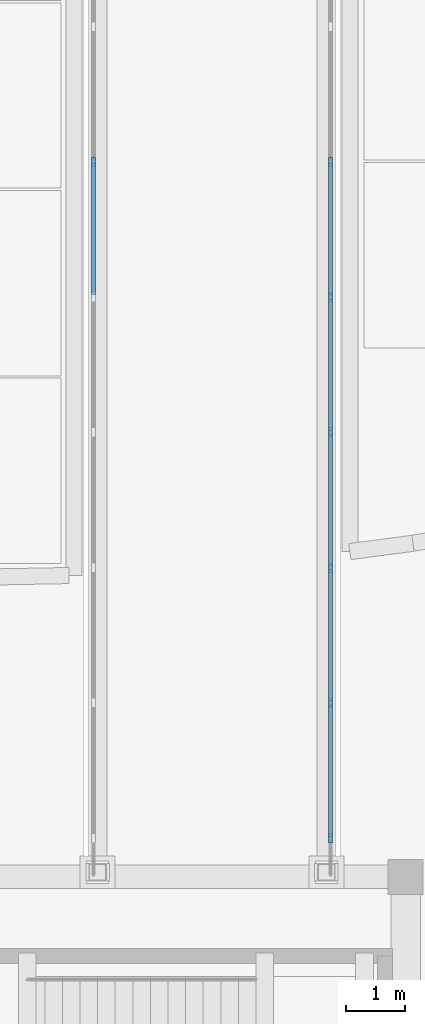
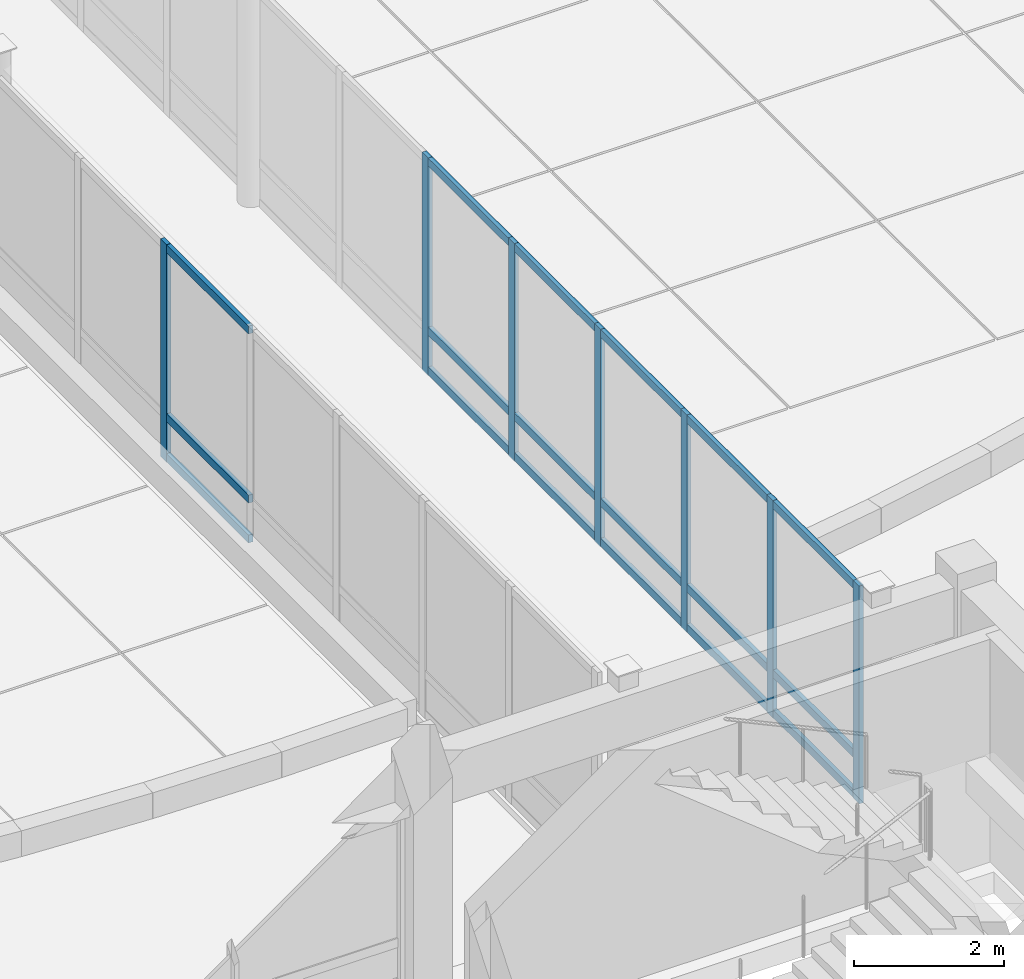
# One storey, part 35 of 135: 25 members, 2 elements without a shape of their own.
"""IFC4 building model written with IfcOpenShell, lengths in metres."""

from ifc_helpers import new_model, si_unit, direction, frame, origin, origin_2d, place, context, subcontext, project, spatial, rectangle, extrude, material, material_profile, profile_set, type_object, element, aggregate, save


model = new_model("IFC4")

# Units and contexts
model_context = context("Model", 3, precision=1e-05, world=origin(), true_north=direction((0.0, 1.0)))
body_context = subcontext(model_context, "Body", "Model", "MODEL_VIEW")
ifc_project = project(units=[si_unit("LENGTHUNIT", "METRE"), si_unit("AREAUNIT", "SQUARE_METRE"), si_unit("VOLUMEUNIT", "CUBIC_METRE"), si_unit("PLANEANGLEUNIT", "RADIAN"), si_unit("MASSUNIT", "GRAM", prefix="KILO")], contexts=[model_context])

# Site, building, storey
site_placement = place(None, origin())
site = spatial("IfcSite", under=ifc_project, at=site_placement, CompositionType="ELEMENT")
building_placement = place(site_placement, origin())
building = spatial("IfcBuilding", under=site, at=building_placement, Name="Cumbredor Promenade Congress Hotel", CompositionType="ELEMENT")
storey_placement = place(building_placement, origin())
storey = spatial("IfcBuildingStorey", under=building, at=storey_placement, Name="L00", CompositionType="ELEMENT", Elevation=0.0)

# Curtain wall, member
ifc_material_1 = material(Name="Thermally broken anodized aluminium and low-E glass", Category="aluminium")
curtain_wall_type = type_object("IfcCurtainWallType", Name="Unitised Bridge Glazing Screen CW-05", PredefinedType="NOTDEFINED", material=ifc_material_1)
curtain_wall_1_placement = place(storey_placement, origin())
curtain_wall_1 = element("IfcCurtainWall", 1, at=curtain_wall_1_placement, inside=storey, type_object=curtain_wall_type, Name="L00 Central Reflecting-Pool Promenade Bridge West Glazing Screen", PredefinedType="NOTDEFINED")
ifc_material_2 = material(Name="Thermally broken anodized aluminium", Category="aluminium")
ifc_material_profile_1 = material_profile(ifc_material_2, rectangle(XDim=0.06494140625, YDim=0.159912109375, at=origin_2d()), Name="ALU MULLION 65x160")
ifc_profile_set_1 = profile_set([ifc_material_profile_1], Name="Thermally broken anodized aluminium")
member_type_1 = type_object("IfcMemberType", Name="Curtain Wall Mullion ML-01", PredefinedType="MULLION", material=ifc_profile_set_1)
member_1_placement = place(storey_placement, frame((103.8798828125, 62.588623046875, -0.008056640625), z_axis=(0.0, 0.0, 1.0), x_axis=(1.0, 0.0, 0.0)))
member_1 = element("IfcMember", 2, at=member_1_placement, type_object=member_type_1, Name="L00 Central Reflecting-Pool Promenade Bridge West Glazing Screen Mullion 6", PredefinedType="MULLION", context=body_context, shape_type="SweptSolid", body=[
    extrude(rectangle(XDim=0.06494140625, YDim=0.159912109375, at=origin_2d()), origin(), (0.0, 0.0, 1.0), 3.55615234375),
])

# Curtain wall, members
curtain_wall_2_placement = place(storey_placement, origin())
curtain_wall_2 = element("IfcCurtainWall", 3, at=curtain_wall_2_placement, inside=storey, type_object=curtain_wall_type, Name="L00 Central Reflecting-Pool Promenade Bridge East Glazing Screen", PredefinedType="NOTDEFINED")
member_2_placement = place(storey_placement, frame((107.919921875, 51.06005859375, -0.008056640625), z_axis=(0.0, 0.0, 1.0), x_axis=(1.0, 0.0, 0.0)))
member_2 = element("IfcMember", 4, at=member_2_placement, type_object=member_type_1, Name="L00 Central Reflecting-Pool Promenade Bridge East Glazing Screen Mullion 1", PredefinedType="MULLION", context=body_context, shape_type="SweptSolid", body=[
    extrude(rectangle(XDim=0.06494140625, YDim=0.159912109375, at=origin_2d()), origin(), (0.0, 0.0, 1.0), 3.55615234375),
])
member_3_placement = place(storey_placement, frame((107.919921875, 53.36572265625, -0.008056640625), z_axis=(0.0, 0.0, 1.0), x_axis=(1.0, 0.0, 0.0)))
member_3 = element("IfcMember", 5, at=member_3_placement, type_object=member_type_1, Name="L00 Central Reflecting-Pool Promenade Bridge East Glazing Screen Mullion 2", PredefinedType="MULLION", context=body_context, shape_type="SweptSolid", body=[
    extrude(rectangle(XDim=0.06494140625, YDim=0.159912109375, at=origin_2d()), origin(), (0.0, 0.0, 1.0), 3.55615234375),
])
member_4_placement = place(storey_placement, frame((107.919921875, 55.67138671875, -0.008056640625), z_axis=(0.0, 0.0, 1.0), x_axis=(1.0, 0.0, 0.0)))
member_4 = element("IfcMember", 6, at=member_4_placement, type_object=member_type_1, Name="L00 Central Reflecting-Pool Promenade Bridge East Glazing Screen Mullion 3", PredefinedType="MULLION", context=body_context, shape_type="SweptSolid", body=[
    extrude(rectangle(XDim=0.06494140625, YDim=0.159912109375, at=origin_2d()), origin(), (0.0, 0.0, 1.0), 3.55615234375),
])
member_5_placement = place(storey_placement, frame((107.919921875, 57.97705078125, -0.008056640625), z_axis=(0.0, 0.0, 1.0), x_axis=(1.0, 0.0, 0.0)))
member_5 = element("IfcMember", 7, at=member_5_placement, type_object=member_type_1, Name="L00 Central Reflecting-Pool Promenade Bridge East Glazing Screen Mullion 4", PredefinedType="MULLION", context=body_context, shape_type="SweptSolid", body=[
    extrude(rectangle(XDim=0.06494140625, YDim=0.159912109375, at=origin_2d()), origin(), (0.0, 0.0, 1.0), 3.55615234375),
])
member_6_placement = place(storey_placement, frame((107.919921875, 60.282958984375, -0.008056640625), z_axis=(0.0, 0.0, 1.0), x_axis=(1.0, 0.0, 0.0)))
member_6 = element("IfcMember", 8, at=member_6_placement, type_object=member_type_1, Name="L00 Central Reflecting-Pool Promenade Bridge East Glazing Screen Mullion 5", PredefinedType="MULLION", context=body_context, shape_type="SweptSolid", body=[
    extrude(rectangle(XDim=0.06494140625, YDim=0.159912109375, at=origin_2d()), origin(), (0.0, 0.0, 1.0), 3.55615234375),
])
member_7_placement = place(storey_placement, frame((107.919921875, 62.588623046875, -0.008056640625), z_axis=(0.0, 0.0, 1.0), x_axis=(1.0, 0.0, 0.0)))
member_7 = element("IfcMember", 9, at=member_7_placement, type_object=member_type_1, Name="L00 Central Reflecting-Pool Promenade Bridge East Glazing Screen Mullion 6", PredefinedType="MULLION", context=body_context, shape_type="SweptSolid", body=[
    extrude(rectangle(XDim=0.06494140625, YDim=0.159912109375, at=origin_2d()), origin(), (0.0, 0.0, 1.0), 3.55615234375),
])

# Member
ifc_material_profile_2 = material_profile(ifc_material_2, rectangle(XDim=0.06494140625, YDim=0.1298828125, at=origin_2d()), Name="ALU TRANSOM 65x130")
ifc_profile_set_2 = profile_set([ifc_material_profile_2], Name="Thermally broken anodized aluminium")
member_type_2 = type_object("IfcMemberType", Name="Curtain Wall Transom TR-01", PredefinedType="USERDEFINED", material=ifc_profile_set_2)
member_8_placement = place(storey_placement, frame((103.8798828125, 60.3154296875, 0.070068359375), z_axis=(0.0, 1.0, 0.0), x_axis=(-1.0, 0.0, 0.0)))
member_8 = element("IfcMember", 10, at=member_8_placement, type_object=member_type_2, Name="L00 Central Reflecting-Pool Promenade Bridge West Glazing Screen Transom 5.1", ObjectType="TRANSOM", PredefinedType="USERDEFINED", context=body_context, shape_type="SweptSolid", body=[
    extrude(rectangle(XDim=0.06494140625, YDim=0.1298828125, at=origin_2d()), origin(), (0.0, 0.0, 1.0), 2.24072265625),
])

member_9_placement = place(storey_placement, frame((103.8798828125, 60.3154296875, 0.719970703125), z_axis=(0.0, 1.0, 0.0), x_axis=(-1.0, 0.0, 0.0)))
member_9 = element("IfcMember", 11, at=member_9_placement, type_object=member_type_2, Name="L00 Central Reflecting-Pool Promenade Bridge West Glazing Screen Transom 5.2", ObjectType="TRANSOM", PredefinedType="USERDEFINED", context=body_context, shape_type="SweptSolid", body=[
    extrude(rectangle(XDim=0.06494140625, YDim=0.1298828125, at=origin_2d()), origin(), (0.0, 0.0, 1.0), 2.24072265625),
])

member_10_placement = place(storey_placement, frame((103.8798828125, 60.3154296875, 3.47998046875), z_axis=(0.0, 1.0, 0.0), x_axis=(-1.0, 0.0, 0.0)))
member_10 = element("IfcMember", 12, at=member_10_placement, type_object=member_type_2, Name="L00 Central Reflecting-Pool Promenade Bridge West Glazing Screen Transom 5.3", ObjectType="TRANSOM", PredefinedType="USERDEFINED", context=body_context, shape_type="SweptSolid", body=[
    extrude(rectangle(XDim=0.06494140625, YDim=0.1298828125, at=origin_2d()), origin(), (0.0, 0.0, 1.0), 2.24072265625),
])

aggregate(curtain_wall_1, [member_1, member_8, member_9, member_10])

member_11_placement = place(storey_placement, frame((107.919921875, 51.092529296875, 0.070068359375), z_axis=(0.0, 1.0, 0.0), x_axis=(-1.0, 0.0, 0.0)))
member_11 = element("IfcMember", 13, at=member_11_placement, type_object=member_type_2, Name="L00 Central Reflecting-Pool Promenade Bridge East Glazing Screen Transom 1.1", ObjectType="TRANSOM", PredefinedType="USERDEFINED", context=body_context, shape_type="SweptSolid", body=[
    extrude(rectangle(XDim=0.06494140625, YDim=0.1298828125, at=origin_2d()), origin(), (0.0, 0.0, 1.0), 2.24072265625),
])

member_12_placement = place(storey_placement, frame((107.919921875, 51.092529296875, 0.719970703125), z_axis=(0.0, 1.0, 0.0), x_axis=(-1.0, 0.0, 0.0)))
member_12 = element("IfcMember", 14, at=member_12_placement, type_object=member_type_2, Name="L00 Central Reflecting-Pool Promenade Bridge East Glazing Screen Transom 1.2", ObjectType="TRANSOM", PredefinedType="USERDEFINED", context=body_context, shape_type="SweptSolid", body=[
    extrude(rectangle(XDim=0.06494140625, YDim=0.1298828125, at=origin_2d()), origin(), (0.0, 0.0, 1.0), 2.24072265625),
])

member_13_placement = place(storey_placement, frame((107.919921875, 51.092529296875, 3.47998046875), z_axis=(0.0, 1.0, 0.0), x_axis=(-1.0, 0.0, 0.0)))
member_13 = element("IfcMember", 15, at=member_13_placement, type_object=member_type_2, Name="L00 Central Reflecting-Pool Promenade Bridge East Glazing Screen Transom 1.3", ObjectType="TRANSOM", PredefinedType="USERDEFINED", context=body_context, shape_type="SweptSolid", body=[
    extrude(rectangle(XDim=0.06494140625, YDim=0.1298828125, at=origin_2d()), origin(), (0.0, 0.0, 1.0), 2.24072265625),
])

member_14_placement = place(storey_placement, frame((107.919921875, 53.398193359375, 0.070068359375), z_axis=(0.0, 1.0, 0.0), x_axis=(-1.0, 0.0, 0.0)))
member_14 = element("IfcMember", 16, at=member_14_placement, type_object=member_type_2, Name="L00 Central Reflecting-Pool Promenade Bridge East Glazing Screen Transom 2.1", ObjectType="TRANSOM", PredefinedType="USERDEFINED", context=body_context, shape_type="SweptSolid", body=[
    extrude(rectangle(XDim=0.06494140625, YDim=0.1298828125, at=origin_2d()), origin(), (0.0, 0.0, 1.0), 2.24072265625),
])

member_15_placement = place(storey_placement, frame((107.919921875, 53.398193359375, 0.719970703125), z_axis=(0.0, 1.0, 0.0), x_axis=(-1.0, 0.0, 0.0)))
member_15 = element("IfcMember", 17, at=member_15_placement, type_object=member_type_2, Name="L00 Central Reflecting-Pool Promenade Bridge East Glazing Screen Transom 2.2", ObjectType="TRANSOM", PredefinedType="USERDEFINED", context=body_context, shape_type="SweptSolid", body=[
    extrude(rectangle(XDim=0.06494140625, YDim=0.1298828125, at=origin_2d()), origin(), (0.0, 0.0, 1.0), 2.24072265625),
])

member_16_placement = place(storey_placement, frame((107.919921875, 53.398193359375, 3.47998046875), z_axis=(0.0, 1.0, 0.0), x_axis=(-1.0, 0.0, 0.0)))
member_16 = element("IfcMember", 18, at=member_16_placement, type_object=member_type_2, Name="L00 Central Reflecting-Pool Promenade Bridge East Glazing Screen Transom 2.3", ObjectType="TRANSOM", PredefinedType="USERDEFINED", context=body_context, shape_type="SweptSolid", body=[
    extrude(rectangle(XDim=0.06494140625, YDim=0.1298828125, at=origin_2d()), origin(), (0.0, 0.0, 1.0), 2.24072265625),
])

member_17_placement = place(storey_placement, frame((107.919921875, 55.703857421875, 0.070068359375), z_axis=(0.0, 1.0, 0.0), x_axis=(-1.0, 0.0, 0.0)))
member_17 = element("IfcMember", 19, at=member_17_placement, type_object=member_type_2, Name="L00 Central Reflecting-Pool Promenade Bridge East Glazing Screen Transom 3.1", ObjectType="TRANSOM", PredefinedType="USERDEFINED", context=body_context, shape_type="SweptSolid", body=[
    extrude(rectangle(XDim=0.06494140625, YDim=0.1298828125, at=origin_2d()), origin(), (0.0, 0.0, 1.0), 2.24072265625),
])

member_18_placement = place(storey_placement, frame((107.919921875, 55.703857421875, 0.719970703125), z_axis=(0.0, 1.0, 0.0), x_axis=(-1.0, 0.0, 0.0)))
member_18 = element("IfcMember", 20, at=member_18_placement, type_object=member_type_2, Name="L00 Central Reflecting-Pool Promenade Bridge East Glazing Screen Transom 3.2", ObjectType="TRANSOM", PredefinedType="USERDEFINED", context=body_context, shape_type="SweptSolid", body=[
    extrude(rectangle(XDim=0.06494140625, YDim=0.1298828125, at=origin_2d()), origin(), (0.0, 0.0, 1.0), 2.24072265625),
])

member_19_placement = place(storey_placement, frame((107.919921875, 55.703857421875, 3.47998046875), z_axis=(0.0, 1.0, 0.0), x_axis=(-1.0, 0.0, 0.0)))
member_19 = element("IfcMember", 21, at=member_19_placement, type_object=member_type_2, Name="L00 Central Reflecting-Pool Promenade Bridge East Glazing Screen Transom 3.3", ObjectType="TRANSOM", PredefinedType="USERDEFINED", context=body_context, shape_type="SweptSolid", body=[
    extrude(rectangle(XDim=0.06494140625, YDim=0.1298828125, at=origin_2d()), origin(), (0.0, 0.0, 1.0), 2.24072265625),
])

member_20_placement = place(storey_placement, frame((107.919921875, 58.009521484375, 0.070068359375), z_axis=(0.0, 1.0, 0.0), x_axis=(-1.0, 0.0, 0.0)))
member_20 = element("IfcMember", 22, at=member_20_placement, type_object=member_type_2, Name="L00 Central Reflecting-Pool Promenade Bridge East Glazing Screen Transom 4.1", ObjectType="TRANSOM", PredefinedType="USERDEFINED", context=body_context, shape_type="SweptSolid", body=[
    extrude(rectangle(XDim=0.06494140625, YDim=0.1298828125, at=origin_2d()), origin(), (0.0, 0.0, 1.0), 2.240966796875),
])

member_21_placement = place(storey_placement, frame((107.919921875, 58.009521484375, 0.719970703125), z_axis=(0.0, 1.0, 0.0), x_axis=(-1.0, 0.0, 0.0)))
member_21 = element("IfcMember", 23, at=member_21_placement, type_object=member_type_2, Name="L00 Central Reflecting-Pool Promenade Bridge East Glazing Screen Transom 4.2", ObjectType="TRANSOM", PredefinedType="USERDEFINED", context=body_context, shape_type="SweptSolid", body=[
    extrude(rectangle(XDim=0.06494140625, YDim=0.1298828125, at=origin_2d()), origin(), (0.0, 0.0, 1.0), 2.240966796875),
])

member_22_placement = place(storey_placement, frame((107.919921875, 58.009521484375, 3.47998046875), z_axis=(0.0, 1.0, 0.0), x_axis=(-1.0, 0.0, 0.0)))
member_22 = element("IfcMember", 24, at=member_22_placement, type_object=member_type_2, Name="L00 Central Reflecting-Pool Promenade Bridge East Glazing Screen Transom 4.3", ObjectType="TRANSOM", PredefinedType="USERDEFINED", context=body_context, shape_type="SweptSolid", body=[
    extrude(rectangle(XDim=0.06494140625, YDim=0.1298828125, at=origin_2d()), origin(), (0.0, 0.0, 1.0), 2.240966796875),
])

member_23_placement = place(storey_placement, frame((107.919921875, 60.3154296875, 0.070068359375), z_axis=(0.0, 1.0, 0.0), x_axis=(-1.0, 0.0, 0.0)))
member_23 = element("IfcMember", 25, at=member_23_placement, type_object=member_type_2, Name="L00 Central Reflecting-Pool Promenade Bridge East Glazing Screen Transom 5.1", ObjectType="TRANSOM", PredefinedType="USERDEFINED", context=body_context, shape_type="SweptSolid", body=[
    extrude(rectangle(XDim=0.06494140625, YDim=0.1298828125, at=origin_2d()), origin(), (0.0, 0.0, 1.0), 2.24072265625),
])

member_24_placement = place(storey_placement, frame((107.919921875, 60.3154296875, 0.719970703125), z_axis=(0.0, 1.0, 0.0), x_axis=(-1.0, 0.0, 0.0)))
member_24 = element("IfcMember", 26, at=member_24_placement, type_object=member_type_2, Name="L00 Central Reflecting-Pool Promenade Bridge East Glazing Screen Transom 5.2", ObjectType="TRANSOM", PredefinedType="USERDEFINED", context=body_context, shape_type="SweptSolid", body=[
    extrude(rectangle(XDim=0.06494140625, YDim=0.1298828125, at=origin_2d()), origin(), (0.0, 0.0, 1.0), 2.24072265625),
])

member_25_placement = place(storey_placement, frame((107.919921875, 60.3154296875, 3.47998046875), z_axis=(0.0, 1.0, 0.0), x_axis=(-1.0, 0.0, 0.0)))
member_25 = element("IfcMember", 27, at=member_25_placement, type_object=member_type_2, Name="L00 Central Reflecting-Pool Promenade Bridge East Glazing Screen Transom 5.3", ObjectType="TRANSOM", PredefinedType="USERDEFINED", context=body_context, shape_type="SweptSolid", body=[
    extrude(rectangle(XDim=0.06494140625, YDim=0.1298828125, at=origin_2d()), origin(), (0.0, 0.0, 1.0), 2.24072265625),
])

aggregate(curtain_wall_2, [member_2, member_3, member_4, member_5, member_6, member_7, member_11, member_12, member_13, member_14, member_15, member_16, member_17, member_18, member_19, member_20, member_21, member_22, member_23, member_24, member_25])

save(model, "model.ifc")
